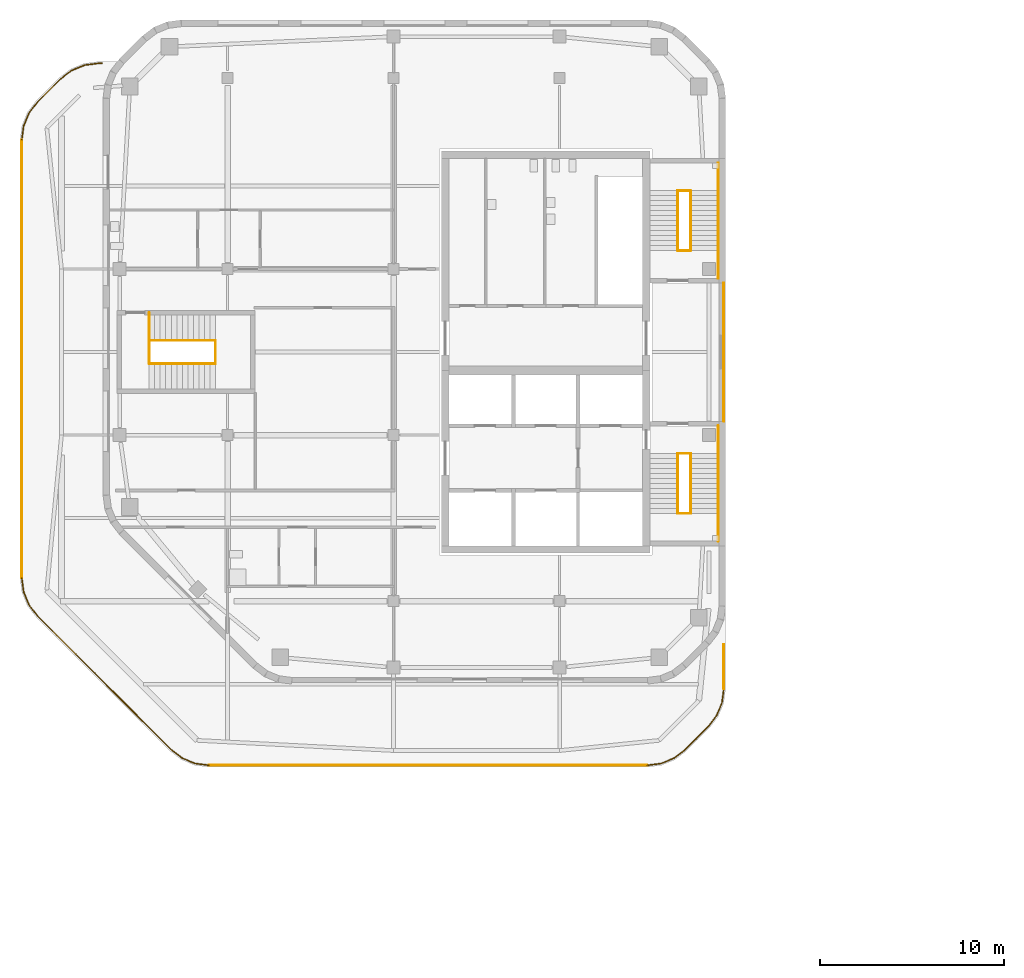
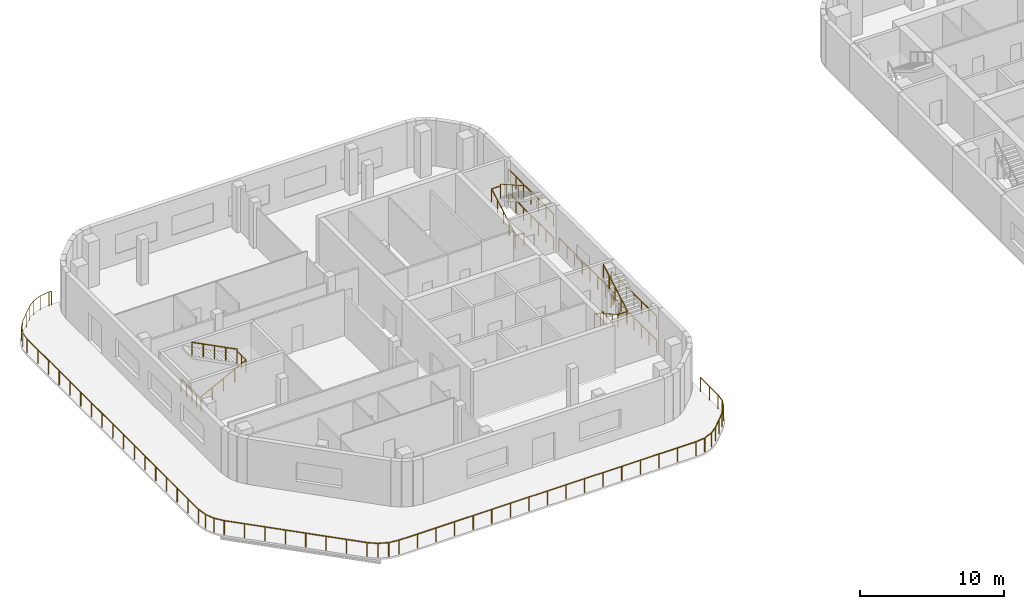
# One storey, part 13 of 15: 24 railings.
"""IFC4 building model written with IfcOpenShell, lengths in metres."""

from ifc_helpers import new_model, si_unit, direction, frame, origin, origin_2d, place, context, subcontext, project, spatial, circle, extrude, material, type_object, element, save


model = new_model("IFC4")

# Units and contexts
model_context = context("Model", 3, precision=1e-05, world=origin(), true_north=direction((0.0, 1.0)))
body_context = subcontext(model_context, "Body", "Model", "MODEL_VIEW")
ifc_project = project(units=[si_unit("LENGTHUNIT", "METRE"), si_unit("AREAUNIT", "SQUARE_METRE"), si_unit("VOLUMEUNIT", "CUBIC_METRE"), si_unit("PLANEANGLEUNIT", "RADIAN"), si_unit("MASSUNIT", "GRAM", prefix="KILO")], contexts=[model_context])

# Site, building, storey
site_placement = place(None, origin())
site = spatial("IfcSite", under=ifc_project, at=site_placement, CompositionType="ELEMENT")
building_placement = place(site_placement, origin())
building = spatial("IfcBuilding", under=site, at=building_placement, Name="Cinnabar Reach Civic Tower", CompositionType="ELEMENT")
storey_placement = place(building_placement, frame((0.0, 0.0, 100.0)))
storey = spatial("IfcBuildingStorey", under=building, at=storey_placement, Name="L23", CompositionType="ELEMENT", Elevation=100.0)

# Railings
ifc_material = material(Name="Stainless steel", Category="steel")
railing_type_1 = type_object("IfcRailingType", Name="Facade terrace guard 1200", PredefinedType="GUARDRAIL", material=ifc_material)
railing_1_placement = place(storey_placement, frame((-27.1, 13.2492, 0.0)))
element("IfcRailing", 1, at=railing_1_placement, inside=storey, type_object=railing_type_1, Name="Terrace guard", PredefinedType="GUARDRAIL", context=body_context, shape_type="SweptSolid", body=[
    extrude(circle(Radius=0.024, at=origin_2d()), frame((0.0, 0.0, 1.176), z_axis=(-0.130464677782, -0.991452957962, 0.0), x_axis=(0.991452957962, -0.130464677782, 0.0)), (0.0, 0.0, 1.0), 0.7634),
    extrude(circle(Radius=0.024, at=origin_2d()), frame((-0.0996, -0.7569, 1.176), z_axis=(-0.382775770387, -0.923841279444, 0.0), x_axis=(0.923841279444, -0.382775770387, 0.0)), (0.0, 0.0, 1.0), 0.7568),
    extrude(circle(Radius=0.024, at=origin_2d()), frame((-0.3893, -1.4561, 1.176), z_axis=(-0.608703751361, -0.793397594576, 0.0), x_axis=(0.793397594576, -0.608703751361, 0.0)), (0.0, 0.0, 1.0), 0.7634),
    extrude(circle(Radius=0.024, at=origin_2d()), frame((-0.854, -2.0618, 1.176), z_axis=(-0.707106781187, -0.707106781187, 0.0), x_axis=(0.707106781187, -0.707106781187, 0.0)), (0.0, 0.0, 1.0), 1.7443),
    extrude(circle(Radius=0.024, at=origin_2d()), frame((-2.0874, -3.2952, 1.176), z_axis=(-0.793397594576, -0.608703751361, 0.0), x_axis=(0.608703751361, -0.793397594576, 0.0)), (0.0, 0.0, 1.0), 0.7634),
    extrude(circle(Radius=0.024, at=origin_2d()), frame((-2.6931, -3.7599, 1.176), z_axis=(-0.923841279444, -0.382775770387, 0.0), x_axis=(0.382775770387, -0.923841279444, 0.0)), (0.0, 0.0, 1.0), 0.7568),
    extrude(circle(Radius=0.024, at=origin_2d()), frame((-3.3923, -4.0496, 1.176), z_axis=(-0.991452957962, -0.130464677782, 0.0), x_axis=(0.130464677782, -0.991452957962, 0.0)), (0.0, 0.0, 1.0), 0.7634),
    extrude(circle(Radius=0.021, at=origin_2d()), origin(), (0.0, 0.0, 1.0), 1.152),
    extrude(circle(Radius=0.021, at=origin_2d()), frame((-0.0996, -0.7569, 0.0)), (0.0, 0.0, 1.0), 1.152),
    extrude(circle(Radius=0.021, at=origin_2d()), frame((-0.3893, -1.4561, 0.0)), (0.0, 0.0, 1.0), 1.152),
    extrude(circle(Radius=0.021, at=origin_2d()), frame((-0.854, -2.0618, 0.0)), (0.0, 0.0, 1.0), 1.152),
    extrude(circle(Radius=0.021, at=origin_2d()), frame((-1.4707, -2.6785, 0.0)), (0.0, 0.0, 1.0), 1.152),
    extrude(circle(Radius=0.021, at=origin_2d()), frame((-2.0874, -3.2952, 0.0)), (0.0, 0.0, 1.0), 1.152),
    extrude(circle(Radius=0.021, at=origin_2d()), frame((-2.6931, -3.7599, 0.0)), (0.0, 0.0, 1.0), 1.152),
    extrude(circle(Radius=0.021, at=origin_2d()), frame((-3.3923, -4.0496, 0.0)), (0.0, 0.0, 1.0), 1.152),
    extrude(circle(Radius=0.021, at=origin_2d()), frame((-4.1492, -4.1492, 0.0)), (0.0, 0.0, 1.0), 1.152),
])
railing_2_placement = place(storey_placement, frame((-31.2492, 9.1, 0.0)))
element("IfcRailing", 2, at=railing_2_placement, inside=storey, type_object=railing_type_1, Name="Terrace guard", PredefinedType="GUARDRAIL", context=body_context, shape_type="SweptSolid", body=[
    extrude(circle(Radius=0.024, at=origin_2d()), frame((0.0, 0.0, 1.176), z_axis=(-1.0, 0.0, 0.0), x_axis=(0.0, -1.0, 0.0)), (0.0, 0.0, 1.0), 23.7516),
    extrude(circle(Radius=0.021, at=origin_2d()), origin(), (0.0, 0.0, 1.0), 1.152),
    extrude(circle(Radius=0.021, at=origin_2d()), frame((-1.4845, 0.0, 0.0)), (0.0, 0.0, 1.0), 1.152),
    extrude(circle(Radius=0.021, at=origin_2d()), frame((-2.9689, 0.0, 0.0)), (0.0, 0.0, 1.0), 1.152),
    extrude(circle(Radius=0.021, at=origin_2d()), frame((-4.4534, 0.0, 0.0)), (0.0, 0.0, 1.0), 1.152),
    extrude(circle(Radius=0.021, at=origin_2d()), frame((-5.9379, 0.0, 0.0)), (0.0, 0.0, 1.0), 1.152),
    extrude(circle(Radius=0.021, at=origin_2d()), frame((-7.4224, 0.0, 0.0)), (0.0, 0.0, 1.0), 1.152),
    extrude(circle(Radius=0.021, at=origin_2d()), frame((-8.9069, 0.0, 0.0)), (0.0, 0.0, 1.0), 1.152),
    extrude(circle(Radius=0.021, at=origin_2d()), frame((-10.3913, 0.0, 0.0)), (0.0, 0.0, 1.0), 1.152),
    extrude(circle(Radius=0.021, at=origin_2d()), frame((-11.8758, 0.0, 0.0)), (0.0, 0.0, 1.0), 1.152),
    extrude(circle(Radius=0.021, at=origin_2d()), frame((-13.3603, 0.0, 0.0)), (0.0, 0.0, 1.0), 1.152),
    extrude(circle(Radius=0.021, at=origin_2d()), frame((-14.8447, 0.0, 0.0)), (0.0, 0.0, 1.0), 1.152),
    extrude(circle(Radius=0.021, at=origin_2d()), frame((-16.3292, 0.0, 0.0)), (0.0, 0.0, 1.0), 1.152),
    extrude(circle(Radius=0.021, at=origin_2d()), frame((-17.8137, 0.0, 0.0)), (0.0, 0.0, 1.0), 1.152),
    extrude(circle(Radius=0.021, at=origin_2d()), frame((-19.2982, 0.0, 0.0)), (0.0, 0.0, 1.0), 1.152),
    extrude(circle(Radius=0.021, at=origin_2d()), frame((-20.7827, 0.0, 0.0)), (0.0, 0.0, 1.0), 1.152),
    extrude(circle(Radius=0.021, at=origin_2d()), frame((-22.2671, 0.0, 0.0)), (0.0, 0.0, 1.0), 1.152),
    extrude(circle(Radius=0.021, at=origin_2d()), frame((-23.7516, 0.0, 0.0)), (0.0, 0.0, 1.0), 1.152),
])
railing_3_placement = place(storey_placement, frame((-55.0008, 9.1, 0.0)))
element("IfcRailing", 3, at=railing_3_placement, inside=storey, type_object=railing_type_1, Name="Terrace guard", PredefinedType="GUARDRAIL", context=body_context, shape_type="SweptSolid", body=[
    extrude(circle(Radius=0.024, at=origin_2d()), frame((0.0, 0.0, 1.176), z_axis=(-0.991452957962, 0.130464677782, 0.0), x_axis=(-0.130464677782, -0.991452957962, 0.0)), (0.0, 0.0, 1.0), 0.7634),
    extrude(circle(Radius=0.024, at=origin_2d()), frame((-0.7569, 0.0996, 1.176), z_axis=(-0.923841279444, 0.382775770387, 0.0), x_axis=(-0.382775770387, -0.923841279444, 0.0)), (0.0, 0.0, 1.0), 0.7568),
    extrude(circle(Radius=0.024, at=origin_2d()), frame((-1.4561, 0.3893, 1.176), z_axis=(-0.793397594576, 0.608703751361, 0.0), x_axis=(-0.608703751361, -0.793397594576, 0.0)), (0.0, 0.0, 1.0), 0.7634),
    extrude(circle(Radius=0.024, at=origin_2d()), frame((-2.0618, 0.854, 1.176), z_axis=(-0.707106781187, 0.707106781187, 0.0), x_axis=(-0.707106781187, -0.707106781187, 0.0)), (0.0, 0.0, 1.0), 10.2296),
    extrude(circle(Radius=0.024, at=origin_2d()), frame((-9.2952, 8.0874, 1.176), z_axis=(-0.608703751361, 0.793397594576, 0.0), x_axis=(-0.793397594576, -0.608703751361, 0.0)), (0.0, 0.0, 1.0), 0.7634),
    extrude(circle(Radius=0.024, at=origin_2d()), frame((-9.7599, 8.6931, 1.176), z_axis=(-0.382775770387, 0.923841279444, 0.0), x_axis=(-0.923841279444, -0.382775770387, 0.0)), (0.0, 0.0, 1.0), 0.7568),
    extrude(circle(Radius=0.024, at=origin_2d()), frame((-10.0496, 9.3923, 1.176), z_axis=(-0.130464677782, 0.991452957962, 0.0), x_axis=(-0.991452957962, -0.130464677782, 0.0)), (0.0, 0.0, 1.0), 0.7634),
    extrude(circle(Radius=0.021, at=origin_2d()), origin(), (0.0, 0.0, 1.0), 1.152),
    extrude(circle(Radius=0.021, at=origin_2d()), frame((-0.7569, 0.0996, 0.0)), (0.0, 0.0, 1.0), 1.152),
    extrude(circle(Radius=0.021, at=origin_2d()), frame((-1.4561, 0.3893, 0.0)), (0.0, 0.0, 1.0), 1.152),
    extrude(circle(Radius=0.021, at=origin_2d()), frame((-2.0618, 0.854, 0.0)), (0.0, 0.0, 1.0), 1.152),
    extrude(circle(Radius=0.021, at=origin_2d()), frame((-3.0951, 1.8873, 0.0)), (0.0, 0.0, 1.0), 1.152),
    extrude(circle(Radius=0.021, at=origin_2d()), frame((-4.1285, 2.9207, 0.0)), (0.0, 0.0, 1.0), 1.152),
    extrude(circle(Radius=0.021, at=origin_2d()), frame((-5.1618, 3.954, 0.0)), (0.0, 0.0, 1.0), 1.152),
    extrude(circle(Radius=0.021, at=origin_2d()), frame((-6.1952, 4.9874, 0.0)), (0.0, 0.0, 1.0), 1.152),
    extrude(circle(Radius=0.021, at=origin_2d()), frame((-7.2285, 6.0207, 0.0)), (0.0, 0.0, 1.0), 1.152),
    extrude(circle(Radius=0.021, at=origin_2d()), frame((-8.2619, 7.0541, 0.0)), (0.0, 0.0, 1.0), 1.152),
    extrude(circle(Radius=0.021, at=origin_2d()), frame((-9.2952, 8.0874, 0.0)), (0.0, 0.0, 1.0), 1.152),
    extrude(circle(Radius=0.021, at=origin_2d()), frame((-9.7599, 8.6931, 0.0)), (0.0, 0.0, 1.0), 1.152),
    extrude(circle(Radius=0.021, at=origin_2d()), frame((-10.0496, 9.3923, 0.0)), (0.0, 0.0, 1.0), 1.152),
    extrude(circle(Radius=0.021, at=origin_2d()), frame((-10.1492, 10.1492, 0.0)), (0.0, 0.0, 1.0), 1.152),
])
railing_4_placement = place(storey_placement, frame((-65.15, 19.2492, 0.0)))
element("IfcRailing", 4, at=railing_4_placement, inside=storey, type_object=railing_type_1, Name="Terrace guard", PredefinedType="GUARDRAIL", context=body_context, shape_type="SweptSolid", body=[
    extrude(circle(Radius=0.024, at=origin_2d()), frame((0.0, 0.0, 1.176), z_axis=(0.0, 1.0, 0.0), x_axis=(-1.0, 0.0, 0.0)), (0.0, 0.0, 1.0), 23.7516),
    extrude(circle(Radius=0.021, at=origin_2d()), origin(), (0.0, 0.0, 1.0), 1.152),
    extrude(circle(Radius=0.021, at=origin_2d()), frame((0.0, 1.4845, 0.0)), (0.0, 0.0, 1.0), 1.152),
    extrude(circle(Radius=0.021, at=origin_2d()), frame((0.0, 2.9689, 0.0)), (0.0, 0.0, 1.0), 1.152),
    extrude(circle(Radius=0.021, at=origin_2d()), frame((0.0, 4.4534, 0.0)), (0.0, 0.0, 1.0), 1.152),
    extrude(circle(Radius=0.021, at=origin_2d()), frame((0.0, 5.9379, 0.0)), (0.0, 0.0, 1.0), 1.152),
    extrude(circle(Radius=0.021, at=origin_2d()), frame((0.0, 7.4224, 0.0)), (0.0, 0.0, 1.0), 1.152),
    extrude(circle(Radius=0.021, at=origin_2d()), frame((0.0, 8.9069, 0.0)), (0.0, 0.0, 1.0), 1.152),
    extrude(circle(Radius=0.021, at=origin_2d()), frame((0.0, 10.3913, 0.0)), (0.0, 0.0, 1.0), 1.152),
    extrude(circle(Radius=0.021, at=origin_2d()), frame((0.0, 11.8758, 0.0)), (0.0, 0.0, 1.0), 1.152),
    extrude(circle(Radius=0.021, at=origin_2d()), frame((0.0, 13.3603, 0.0)), (0.0, 0.0, 1.0), 1.152),
    extrude(circle(Radius=0.021, at=origin_2d()), frame((0.0, 14.8447, 0.0)), (0.0, 0.0, 1.0), 1.152),
    extrude(circle(Radius=0.021, at=origin_2d()), frame((0.0, 16.3292, 0.0)), (0.0, 0.0, 1.0), 1.152),
    extrude(circle(Radius=0.021, at=origin_2d()), frame((0.0, 17.8137, 0.0)), (0.0, 0.0, 1.0), 1.152),
    extrude(circle(Radius=0.021, at=origin_2d()), frame((0.0, 19.2982, 0.0)), (0.0, 0.0, 1.0), 1.152),
    extrude(circle(Radius=0.021, at=origin_2d()), frame((0.0, 20.7827, 0.0)), (0.0, 0.0, 1.0), 1.152),
    extrude(circle(Radius=0.021, at=origin_2d()), frame((0.0, 22.2671, 0.0)), (0.0, 0.0, 1.0), 1.152),
    extrude(circle(Radius=0.021, at=origin_2d()), frame((0.0, 23.7516, 0.0)), (0.0, 0.0, 1.0), 1.152),
])
railing_5_placement = place(storey_placement, frame((-65.15, 43.0008, 0.0)))
element("IfcRailing", 5, at=railing_5_placement, inside=storey, type_object=railing_type_1, Name="Terrace guard", PredefinedType="GUARDRAIL", context=body_context, shape_type="SweptSolid", body=[
    extrude(circle(Radius=0.024, at=origin_2d()), frame((0.0, 0.0, 1.176), z_axis=(0.130464677782, 0.991452957962, 0.0), x_axis=(-0.991452957962, 0.130464677782, 0.0)), (0.0, 0.0, 1.0), 0.7634),
    extrude(circle(Radius=0.024, at=origin_2d()), frame((0.0996, 0.7569, 1.176), z_axis=(0.382775770387, 0.923841279444, 0.0), x_axis=(-0.923841279444, 0.382775770387, 0.0)), (0.0, 0.0, 1.0), 0.7568),
    extrude(circle(Radius=0.024, at=origin_2d()), frame((0.3893, 1.4561, 1.176), z_axis=(0.608703751361, 0.793397594576, 0.0), x_axis=(-0.793397594576, 0.608703751361, 0.0)), (0.0, 0.0, 1.0), 0.7634),
    extrude(circle(Radius=0.024, at=origin_2d()), frame((0.854, 2.0618, 1.176), z_axis=(0.707106781187, 0.707106781187, 0.0), x_axis=(-0.707106781187, 0.707106781187, 0.0)), (0.0, 0.0, 1.0), 1.7443),
    extrude(circle(Radius=0.024, at=origin_2d()), frame((2.0874, 3.2952, 1.176), z_axis=(0.793397594576, 0.608703751361, 0.0), x_axis=(-0.608703751361, 0.793397594576, 0.0)), (0.0, 0.0, 1.0), 0.7634),
    extrude(circle(Radius=0.024, at=origin_2d()), frame((2.6931, 3.7599, 1.176), z_axis=(0.923841279444, 0.382775770387, 0.0), x_axis=(-0.382775770387, 0.923841279444, 0.0)), (0.0, 0.0, 1.0), 0.7568),
    extrude(circle(Radius=0.024, at=origin_2d()), frame((3.3923, 4.0496, 1.176), z_axis=(0.991452957962, 0.130464677782, 0.0), x_axis=(-0.130464677782, 0.991452957962, 0.0)), (0.0, 0.0, 1.0), 0.7634),
    extrude(circle(Radius=0.024, at=origin_2d()), frame((4.1492, 4.1492, 1.176), z_axis=(1.0, 0.0, 0.0), x_axis=(0.0, 1.0, 0.0)), (0.0, 0.0, 1.0), 0.1977),
    extrude(circle(Radius=0.021, at=origin_2d()), origin(), (0.0, 0.0, 1.0), 1.152),
    extrude(circle(Radius=0.021, at=origin_2d()), frame((0.0996, 0.7569, 0.0)), (0.0, 0.0, 1.0), 1.152),
    extrude(circle(Radius=0.021, at=origin_2d()), frame((0.3893, 1.4561, 0.0)), (0.0, 0.0, 1.0), 1.152),
    extrude(circle(Radius=0.021, at=origin_2d()), frame((0.854, 2.0618, 0.0)), (0.0, 0.0, 1.0), 1.152),
    extrude(circle(Radius=0.021, at=origin_2d()), frame((1.4707, 2.6785, 0.0)), (0.0, 0.0, 1.0), 1.152),
    extrude(circle(Radius=0.021, at=origin_2d()), frame((2.0874, 3.2952, 0.0)), (0.0, 0.0, 1.0), 1.152),
    extrude(circle(Radius=0.021, at=origin_2d()), frame((2.6931, 3.7599, 0.0)), (0.0, 0.0, 1.0), 1.152),
    extrude(circle(Radius=0.021, at=origin_2d()), frame((3.3923, 4.0496, 0.0)), (0.0, 0.0, 1.0), 1.152),
    extrude(circle(Radius=0.021, at=origin_2d()), frame((4.1492, 4.1492, 0.0)), (0.0, 0.0, 1.0), 1.152),
    extrude(circle(Radius=0.021, at=origin_2d()), frame((4.3469, 4.1492, 0.0)), (0.0, 0.0, 1.0), 1.152),
])
railing_6_placement = place(storey_placement, frame((-27.1, 15.6505, 0.0)))
element("IfcRailing", 6, at=railing_6_placement, inside=storey, type_object=railing_type_1, Name="Terrace guard", PredefinedType="GUARDRAIL", context=body_context, shape_type="SweptSolid", body=[
    extrude(circle(Radius=0.024, at=origin_2d()), frame((0.0, 0.0, 1.176), z_axis=(0.0, -1.0, 0.0), x_axis=(1.0, 0.0, 0.0)), (0.0, 0.0, 1.0), 2.4013),
    extrude(circle(Radius=0.021, at=origin_2d()), origin(), (0.0, 0.0, 1.0), 1.152),
    extrude(circle(Radius=0.021, at=origin_2d()), frame((0.0, -1.2006, 0.0)), (0.0, 0.0, 1.0), 1.152),
    extrude(circle(Radius=0.021, at=origin_2d()), frame((0.0, -2.4013, 0.0)), (0.0, 0.0, 1.0), 1.152),
])
railing_type_2 = type_object("IfcRailingType", Name="T2 Stair guard 1100", PredefinedType="GUARDRAIL", material=ifc_material)
railing_7_placement = place(storey_placement, frame((-27.1, 27.75, 0.0)))
element("IfcRailing", 7, at=railing_7_placement, inside=storey, type_object=railing_type_2, Name="Corridor end guard", PredefinedType="GUARDRAIL", context=body_context, shape_type="SweptSolid", body=[
    extrude(circle(Radius=0.024, at=origin_2d()), frame((0.0, 0.0, 1.076), z_axis=(0.0, 1.0, 0.0), x_axis=(-1.0, 0.0, 0.0)), (0.0, 0.0, 1.0), 7.5),
    extrude(circle(Radius=0.021, at=origin_2d()), origin(), (0.0, 0.0, 1.0), 1.052),
    extrude(circle(Radius=0.021, at=origin_2d()), frame((0.0, 1.0714, 0.0)), (0.0, 0.0, 1.0), 1.052),
    extrude(circle(Radius=0.021, at=origin_2d()), frame((0.0, 2.1429, 0.0)), (0.0, 0.0, 1.0), 1.052),
    extrude(circle(Radius=0.021, at=origin_2d()), frame((0.0, 3.2143, 0.0)), (0.0, 0.0, 1.0), 1.052),
    extrude(circle(Radius=0.021, at=origin_2d()), frame((0.0, 4.2857, 0.0)), (0.0, 0.0, 1.0), 1.052),
    extrude(circle(Radius=0.021, at=origin_2d()), frame((0.0, 5.3571, 0.0)), (0.0, 0.0, 1.0), 1.052),
    extrude(circle(Radius=0.021, at=origin_2d()), frame((0.0, 6.4286, 0.0)), (0.0, 0.0, 1.0), 1.052),
    extrude(circle(Radius=0.021, at=origin_2d()), frame((0.0, 7.5, 0.0)), (0.0, 0.0, 1.0), 1.052),
])
for number, where, name in (
    (8, (-27.4, 21.25, 0.0), "Stair guard 1"),
    (9, (-27.4, 21.25, 2.0), "Stair guard 1"),
):
    element("IfcRailing", number, at=place(storey_placement, frame(where)), inside=storey, type_object=railing_type_2, Name=name, PredefinedType="GUARDRAIL", context=body_context, shape_type="SweptSolid", body=[
        extrude(circle(Radius=0.024, at=origin_2d()), frame((0.0, 0.0, 1.076), z_axis=(0.0, 1.0, 0.0), x_axis=(-1.0, 0.0, 0.0)), (0.0, 0.0, 1.0), 6.25),
        extrude(circle(Radius=0.021, at=origin_2d()), origin(), (0.0, 0.0, 1.0), 1.052),
        extrude(circle(Radius=0.021, at=origin_2d()), frame((0.0, 1.0417, 0.0)), (0.0, 0.0, 1.0), 1.052),
        extrude(circle(Radius=0.021, at=origin_2d()), frame((0.0, 2.0833, 0.0)), (0.0, 0.0, 1.0), 1.052),
        extrude(circle(Radius=0.021, at=origin_2d()), frame((0.0, 3.125, 0.0)), (0.0, 0.0, 1.0), 1.052),
        extrude(circle(Radius=0.021, at=origin_2d()), frame((0.0, 4.1667, 0.0)), (0.0, 0.0, 1.0), 1.052),
        extrude(circle(Radius=0.021, at=origin_2d()), frame((0.0, 5.2083, 0.0)), (0.0, 0.0, 1.0), 1.052),
        extrude(circle(Radius=0.021, at=origin_2d()), frame((0.0, 6.25, 0.0)), (0.0, 0.0, 1.0), 1.052),
    ])
for number, where, name in (
    (10, (-29.6, 26.0, 0.0), "Stair guard 1"),
    (11, (-29.6, 22.75, 2.0), "Stair guard 1"),
):
    element("IfcRailing", number, at=place(storey_placement, frame(where)), inside=storey, type_object=railing_type_2, Name=name, PredefinedType="GUARDRAIL", context=body_context, shape_type="SweptSolid", body=[
        extrude(circle(Radius=0.024, at=origin_2d()), frame((0.0, 0.0, 1.076), z_axis=(1.0, 0.0, 0.0), x_axis=(0.0, 1.0, 0.0)), (0.0, 0.0, 1.0), 0.7),
        extrude(circle(Radius=0.021, at=origin_2d()), origin(), (0.0, 0.0, 1.0), 1.052),
        extrude(circle(Radius=0.021, at=origin_2d()), frame((0.7, 0.0, 0.0)), (0.0, 0.0, 1.0), 1.052),
    ])
railing_8_placement = place(storey_placement, frame((-29.6, 26.0, 0.1538)))
element("IfcRailing", 12, at=railing_8_placement, inside=storey, type_object=railing_type_2, Name="Stair guard 1", PredefinedType="GUARDRAIL", context=body_context, shape_type="SweptSolid", body=[
    extrude(circle(Radius=0.024, at=origin_2d()), frame((0.0, 0.0, 1.076), z_axis=(0.0, -0.869501474428, 0.493930345258), x_axis=(1.0, 0.0, 0.0)), (0.0, 0.0, 1.0), 3.7378),
    extrude(circle(Radius=0.021, at=origin_2d()), origin(), (0.0, 0.0, 1.0), 1.052),
    extrude(circle(Radius=0.021, at=origin_2d()), frame((0.0, -0.8125, 0.4615)), (0.0, 0.0, 1.0), 1.052),
    extrude(circle(Radius=0.021, at=origin_2d()), frame((0.0, -1.625, 0.9231)), (0.0, 0.0, 1.0), 1.052),
    extrude(circle(Radius=0.021, at=origin_2d()), frame((0.0, -2.4375, 1.3846)), (0.0, 0.0, 1.0), 1.052),
    extrude(circle(Radius=0.021, at=origin_2d()), frame((0.0, -3.25, 1.8462)), (0.0, 0.0, 1.0), 1.052),
])
railing_9_placement = place(storey_placement, frame((-28.9, 22.75, 2.1538)))
element("IfcRailing", 13, at=railing_9_placement, inside=storey, type_object=railing_type_2, Name="Stair guard 1", PredefinedType="GUARDRAIL", context=body_context, shape_type="SweptSolid", body=[
    extrude(circle(Radius=0.024, at=origin_2d()), frame((0.0, 0.0, 1.076), z_axis=(0.0, 0.869501474428, 0.493930345258), x_axis=(-1.0, 0.0, 0.0)), (0.0, 0.0, 1.0), 3.7378),
    extrude(circle(Radius=0.021, at=origin_2d()), origin(), (0.0, 0.0, 1.0), 1.052),
    extrude(circle(Radius=0.021, at=origin_2d()), frame((0.0, 0.8125, 0.4615)), (0.0, 0.0, 1.0), 1.052),
    extrude(circle(Radius=0.021, at=origin_2d()), frame((0.0, 1.625, 0.9231)), (0.0, 0.0, 1.0), 1.052),
    extrude(circle(Radius=0.021, at=origin_2d()), frame((0.0, 2.4375, 1.3846)), (0.0, 0.0, 1.0), 1.052),
    extrude(circle(Radius=0.021, at=origin_2d()), frame((0.0, 3.25, 1.8462)), (0.0, 0.0, 1.0), 1.052),
])
for number, where, name in (
    (14, (-27.4, 35.5, 0.0), "Stair guard 2"),
    (15, (-27.4, 35.5, 2.0), "Stair guard 2"),
):
    element("IfcRailing", number, at=place(storey_placement, frame(where)), inside=storey, type_object=railing_type_2, Name=name, PredefinedType="GUARDRAIL", context=body_context, shape_type="SweptSolid", body=[
        extrude(circle(Radius=0.024, at=origin_2d()), frame((0.0, 0.0, 1.076), z_axis=(0.0, 1.0, 0.0), x_axis=(-1.0, 0.0, 0.0)), (0.0, 0.0, 1.0), 6.25),
        extrude(circle(Radius=0.021, at=origin_2d()), origin(), (0.0, 0.0, 1.0), 1.052),
        extrude(circle(Radius=0.021, at=origin_2d()), frame((0.0, 1.0417, 0.0)), (0.0, 0.0, 1.0), 1.052),
        extrude(circle(Radius=0.021, at=origin_2d()), frame((0.0, 2.0833, 0.0)), (0.0, 0.0, 1.0), 1.052),
        extrude(circle(Radius=0.021, at=origin_2d()), frame((0.0, 3.125, 0.0)), (0.0, 0.0, 1.0), 1.052),
        extrude(circle(Radius=0.021, at=origin_2d()), frame((0.0, 4.1667, 0.0)), (0.0, 0.0, 1.0), 1.052),
        extrude(circle(Radius=0.021, at=origin_2d()), frame((0.0, 5.2083, 0.0)), (0.0, 0.0, 1.0), 1.052),
        extrude(circle(Radius=0.021, at=origin_2d()), frame((0.0, 6.25, 0.0)), (0.0, 0.0, 1.0), 1.052),
    ])
for number, where, name in (
    (16, (-29.6, 37.0, 0.0), "Stair guard 2"),
    (17, (-29.6, 40.25, 2.0), "Stair guard 2"),
):
    element("IfcRailing", number, at=place(storey_placement, frame(where)), inside=storey, type_object=railing_type_2, Name=name, PredefinedType="GUARDRAIL", context=body_context, shape_type="SweptSolid", body=[
        extrude(circle(Radius=0.024, at=origin_2d()), frame((0.0, 0.0, 1.076), z_axis=(1.0, 0.0, 0.0), x_axis=(0.0, 1.0, 0.0)), (0.0, 0.0, 1.0), 0.7),
        extrude(circle(Radius=0.021, at=origin_2d()), origin(), (0.0, 0.0, 1.0), 1.052),
        extrude(circle(Radius=0.021, at=origin_2d()), frame((0.7, 0.0, 0.0)), (0.0, 0.0, 1.0), 1.052),
    ])
railing_10_placement = place(storey_placement, frame((-29.6, 37.0, 0.1538)))
element("IfcRailing", 18, at=railing_10_placement, inside=storey, type_object=railing_type_2, Name="Stair guard 2", PredefinedType="GUARDRAIL", context=body_context, shape_type="SweptSolid", body=[
    extrude(circle(Radius=0.024, at=origin_2d()), frame((0.0, 0.0, 1.076), z_axis=(0.0, 0.869501474428, 0.493930345258), x_axis=(-1.0, 0.0, 0.0)), (0.0, 0.0, 1.0), 3.7378),
    extrude(circle(Radius=0.021, at=origin_2d()), origin(), (0.0, 0.0, 1.0), 1.052),
    extrude(circle(Radius=0.021, at=origin_2d()), frame((0.0, 0.8125, 0.4615)), (0.0, 0.0, 1.0), 1.052),
    extrude(circle(Radius=0.021, at=origin_2d()), frame((0.0, 1.625, 0.9231)), (0.0, 0.0, 1.0), 1.052),
    extrude(circle(Radius=0.021, at=origin_2d()), frame((0.0, 2.4375, 1.3846)), (0.0, 0.0, 1.0), 1.052),
    extrude(circle(Radius=0.021, at=origin_2d()), frame((0.0, 3.25, 1.8462)), (0.0, 0.0, 1.0), 1.052),
])
railing_11_placement = place(storey_placement, frame((-28.9, 40.25, 2.1538)))
element("IfcRailing", 19, at=railing_11_placement, inside=storey, type_object=railing_type_2, Name="Stair guard 2", PredefinedType="GUARDRAIL", context=body_context, shape_type="SweptSolid", body=[
    extrude(circle(Radius=0.024, at=origin_2d()), frame((0.0, 0.0, 1.076), z_axis=(0.0, -0.869501474428, 0.493930345258), x_axis=(1.0, 0.0, 0.0)), (0.0, 0.0, 1.0), 3.7378),
    extrude(circle(Radius=0.021, at=origin_2d()), origin(), (0.0, 0.0, 1.0), 1.052),
    extrude(circle(Radius=0.021, at=origin_2d()), frame((0.0, -0.8125, 0.4615)), (0.0, 0.0, 1.0), 1.052),
    extrude(circle(Radius=0.021, at=origin_2d()), frame((0.0, -1.625, 0.9231)), (0.0, 0.0, 1.0), 1.052),
    extrude(circle(Radius=0.021, at=origin_2d()), frame((0.0, -2.4375, 1.3846)), (0.0, 0.0, 1.0), 1.052),
    extrude(circle(Radius=0.021, at=origin_2d()), frame((0.0, -3.25, 1.8462)), (0.0, 0.0, 1.0), 1.052),
])
railing_12_placement = place(storey_placement, frame((-58.25, 30.875, 0.0)))
element("IfcRailing", 20, at=railing_12_placement, inside=storey, type_object=railing_type_2, Name="Stair guard 3", PredefinedType="GUARDRAIL", context=body_context, shape_type="SweptSolid", body=[
    extrude(circle(Radius=0.024, at=origin_2d()), frame((0.0, 0.0, 1.076), z_axis=(0.0, 1.0, 0.0), x_axis=(-1.0, 0.0, 0.0)), (0.0, 0.0, 1.0), 1.25),
    extrude(circle(Radius=0.021, at=origin_2d()), origin(), (0.0, 0.0, 1.0), 1.052),
    extrude(circle(Radius=0.021, at=origin_2d()), frame((0.0, 0.625, 0.0)), (0.0, 0.0, 1.0), 1.052),
    extrude(circle(Radius=0.021, at=origin_2d()), frame((0.0, 1.25, 0.0)), (0.0, 0.0, 1.0), 1.052),
])
railing_13_placement = place(storey_placement, frame((-58.25, 32.125, 0.0)))
element("IfcRailing", 21, at=railing_13_placement, inside=storey, type_object=railing_type_2, Name="Stair guard 3", PredefinedType="GUARDRAIL", context=body_context, shape_type="SweptSolid", body=[
    extrude(circle(Radius=0.024, at=origin_2d()), frame((0.0, 0.0, 1.076), z_axis=(0.0, 1.0, 0.0), x_axis=(-1.0, 0.0, 0.0)), (0.0, 0.0, 1.0), 1.5),
    extrude(circle(Radius=0.021, at=origin_2d()), origin(), (0.0, 0.0, 1.0), 1.052),
    extrude(circle(Radius=0.021, at=origin_2d()), frame((0.0, 0.75, 0.0)), (0.0, 0.0, 1.0), 1.052),
    extrude(circle(Radius=0.021, at=origin_2d()), frame((0.0, 1.5, 0.0)), (0.0, 0.0, 1.0), 1.052),
])
railing_14_placement = place(storey_placement, frame((-54.65, 30.875, 2.0)))
element("IfcRailing", 22, at=railing_14_placement, inside=storey, type_object=railing_type_2, Name="Stair guard 3", PredefinedType="GUARDRAIL", context=body_context, shape_type="SweptSolid", body=[
    extrude(circle(Radius=0.024, at=origin_2d()), frame((0.0, 0.0, 1.076), z_axis=(0.0, 1.0, 0.0), x_axis=(-1.0, 0.0, 0.0)), (0.0, 0.0, 1.0), 1.25),
    extrude(circle(Radius=0.021, at=origin_2d()), origin(), (0.0, 0.0, 1.0), 1.052),
    extrude(circle(Radius=0.021, at=origin_2d()), frame((0.0, 0.625, 0.0)), (0.0, 0.0, 1.0), 1.052),
    extrude(circle(Radius=0.021, at=origin_2d()), frame((0.0, 1.25, 0.0)), (0.0, 0.0, 1.0), 1.052),
])
railing_15_placement = place(storey_placement, frame((-58.25, 30.875, 0.1538)))
element("IfcRailing", 23, at=railing_15_placement, inside=storey, type_object=railing_type_2, Name="Stair guard 3", PredefinedType="GUARDRAIL", context=body_context, shape_type="SweptSolid", body=[
    extrude(circle(Radius=0.024, at=origin_2d()), frame((0.0, 0.0, 1.076), z_axis=(0.889812830738, 0.0, 0.45632568003), x_axis=(0.0, 1.0, 0.0)), (0.0, 0.0, 1.0), 4.0458),
    extrude(circle(Radius=0.021, at=origin_2d()), origin(), (0.0, 0.0, 1.0), 1.052),
    extrude(circle(Radius=0.021, at=origin_2d()), frame((0.9, 0.0, 0.4615)), (0.0, 0.0, 1.0), 1.052),
    extrude(circle(Radius=0.021, at=origin_2d()), frame((1.8, 0.0, 0.9231)), (0.0, 0.0, 1.0), 1.052),
    extrude(circle(Radius=0.021, at=origin_2d()), frame((2.7, 0.0, 1.3846)), (0.0, 0.0, 1.0), 1.052),
    extrude(circle(Radius=0.021, at=origin_2d()), frame((3.6, 0.0, 1.8462)), (0.0, 0.0, 1.0), 1.052),
])
railing_16_placement = place(storey_placement, frame((-54.65, 32.125, 2.1538)))
element("IfcRailing", 24, at=railing_16_placement, inside=storey, type_object=railing_type_2, Name="Stair guard 3", PredefinedType="GUARDRAIL", context=body_context, shape_type="SweptSolid", body=[
    extrude(circle(Radius=0.024, at=origin_2d()), frame((0.0, 0.0, 1.076), z_axis=(-0.889812830738, 0.0, 0.45632568003), x_axis=(0.0, -1.0, 0.0)), (0.0, 0.0, 1.0), 4.0458),
    extrude(circle(Radius=0.021, at=origin_2d()), origin(), (0.0, 0.0, 1.0), 1.052),
    extrude(circle(Radius=0.021, at=origin_2d()), frame((-0.9, 0.0, 0.4615)), (0.0, 0.0, 1.0), 1.052),
    extrude(circle(Radius=0.021, at=origin_2d()), frame((-1.8, 0.0, 0.9231)), (0.0, 0.0, 1.0), 1.052),
    extrude(circle(Radius=0.021, at=origin_2d()), frame((-2.7, 0.0, 1.3846)), (0.0, 0.0, 1.0), 1.052),
    extrude(circle(Radius=0.021, at=origin_2d()), frame((-3.6, 0.0, 1.8462)), (0.0, 0.0, 1.0), 1.052),
])

save(model, "model.ifc")
